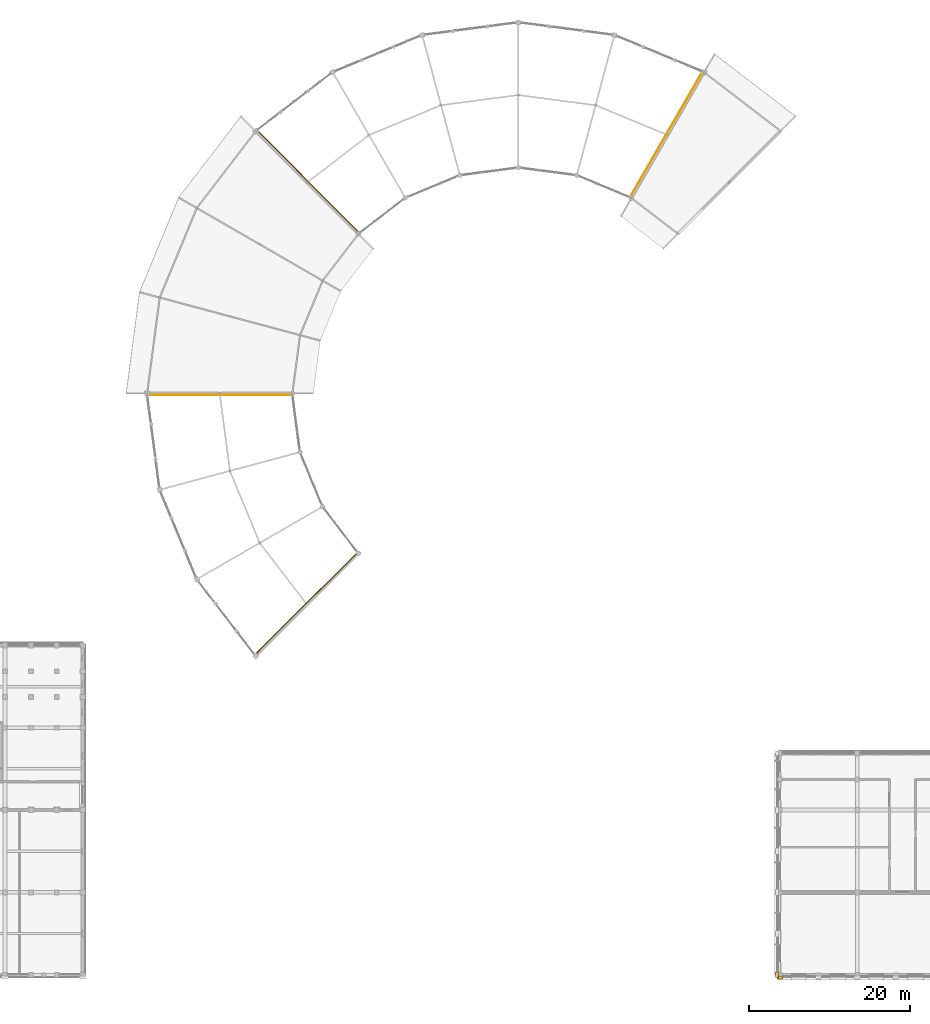
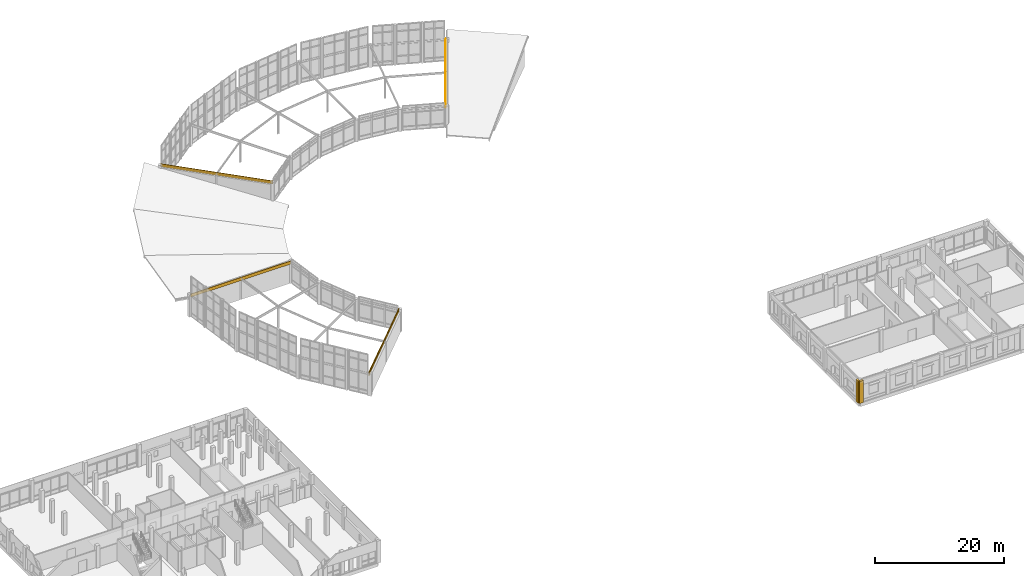
# One storey, part 92 of 93: 6 coverings.
"""IFC4 building model written with IfcOpenShell, lengths in metres."""

from ifc_helpers import new_model, si_unit, direction, frame, origin, origin_2d, place, context, subcontext, project, spatial, rectangle, extrude, material, layer, layer_set, type_object, element, save


model = new_model("IFC4")

# Units and contexts
model_context = context("Model", 3, precision=1e-05, world=origin(), true_north=direction((0.0, 1.0)))
body_context = subcontext(model_context, "Body", "Model", "MODEL_VIEW")
ifc_project = project(units=[si_unit("LENGTHUNIT", "METRE"), si_unit("AREAUNIT", "SQUARE_METRE"), si_unit("VOLUMEUNIT", "CUBIC_METRE"), si_unit("PLANEANGLEUNIT", "RADIAN"), si_unit("MASSUNIT", "GRAM", prefix="KILO")], contexts=[model_context])

# Site, building, storey
site_placement = place(None, origin())
site = spatial("IfcSite", under=ifc_project, at=site_placement, CompositionType="ELEMENT")
building_placement = place(site_placement, origin())
building = spatial("IfcBuilding", under=site, at=building_placement, Name="Vondelvale Polytechnic", CompositionType="ELEMENT")
storey_placement = place(building_placement, frame((0.0, 0.0, 18.0)))
storey = spatial("IfcBuildingStorey", under=building, at=storey_placement, Name="L04", CompositionType="ELEMENT", Elevation=18.0)

# Coverings
ifc_material = material(Name="Amsterdam School iron-spot clinker clay brickwork", Category="masonry")
ifc_layer = layer(ifc_material, 0.090087890625)
ifc_layer_set = layer_set([ifc_layer], Name="COV-BRICK-RELIEF")
covering_type = type_object("IfcCoveringType", Name="COV-BRICK-RELIEF", PredefinedType="CLADDING", material=ifc_layer_set)
for number, where, z_axis, x_axis, name in (
    (1, (120.33984375, 104.135498046875, 3.64990234375), (0.0, 0.0, 1.0), (0.5, 0.866025403784, 0.0), "L04 exterior masonry spandrel band"),
    (2, (75.968017578125, 98.293701171875, 3.64990234375), (0.0, 0.0, 1.0), (-0.707106781187, 0.707106781187, 0.0), "L04 exterior masonry spandrel band"),
    (3, (65.0, 71.81494140625, 3.64990234375), (0.0, 0.0, 1.0), (-1.0, 0.0, 0.0), "L04 exterior masonry spandrel band"),
    (4, (75.706298828125, 45.968017578125, 3.64990234375), (0.0, 0.0, 1.0), (-0.707106781187, -0.707106781187, 0.0), "L04 exterior masonry spandrel band"),
):
    element("IfcCovering", number, at=place(storey_placement, frame(where, z_axis=z_axis, x_axis=x_axis)), inside=storey, type_object=covering_type, Name=name, PredefinedType="CLADDING", context=body_context, shape_type="SweptSolid", body=[
        extrude(rectangle(XDim=18.0, YDim=0.090087890625, at=origin_2d()), origin(), (0.0, 0.0, 1.0), 0.590087890625),
    ])
covering_1_placement = place(storey_placement, frame((134.39990234375, -0.340087890625, 0.0), z_axis=(0.0, 0.0, 1.0), x_axis=(1.0, 0.0, 0.0)))
element("IfcCovering", 5, at=covering_1_placement, inside=storey, type_object=covering_type, Name="L04 Lecture wing giant-order pilaster S", PredefinedType="CLADDING", context=body_context, shape_type="SweptSolid", body=[
    extrude(rectangle(XDim=0.679931640625, YDim=0.360107421875, at=origin_2d()), origin(), (0.0, 0.0, 1.0), 4.199951171875),
])
covering_2_placement = place(storey_placement, frame((134.06005859375, 0.0, 0.0), z_axis=(0.0, 0.0, 1.0), x_axis=(1.0, 0.0, 0.0)))
element("IfcCovering", 6, at=covering_2_placement, inside=storey, type_object=covering_type, Name="L04 Lecture wing giant-order pilaster W", PredefinedType="CLADDING", context=body_context, shape_type="SweptSolid", body=[
    extrude(rectangle(XDim=0.360107421875, YDim=0.679931640625, at=origin_2d()), origin(), (0.0, 0.0, 1.0), 4.199951171875),
])

save(model, "model.ifc")
